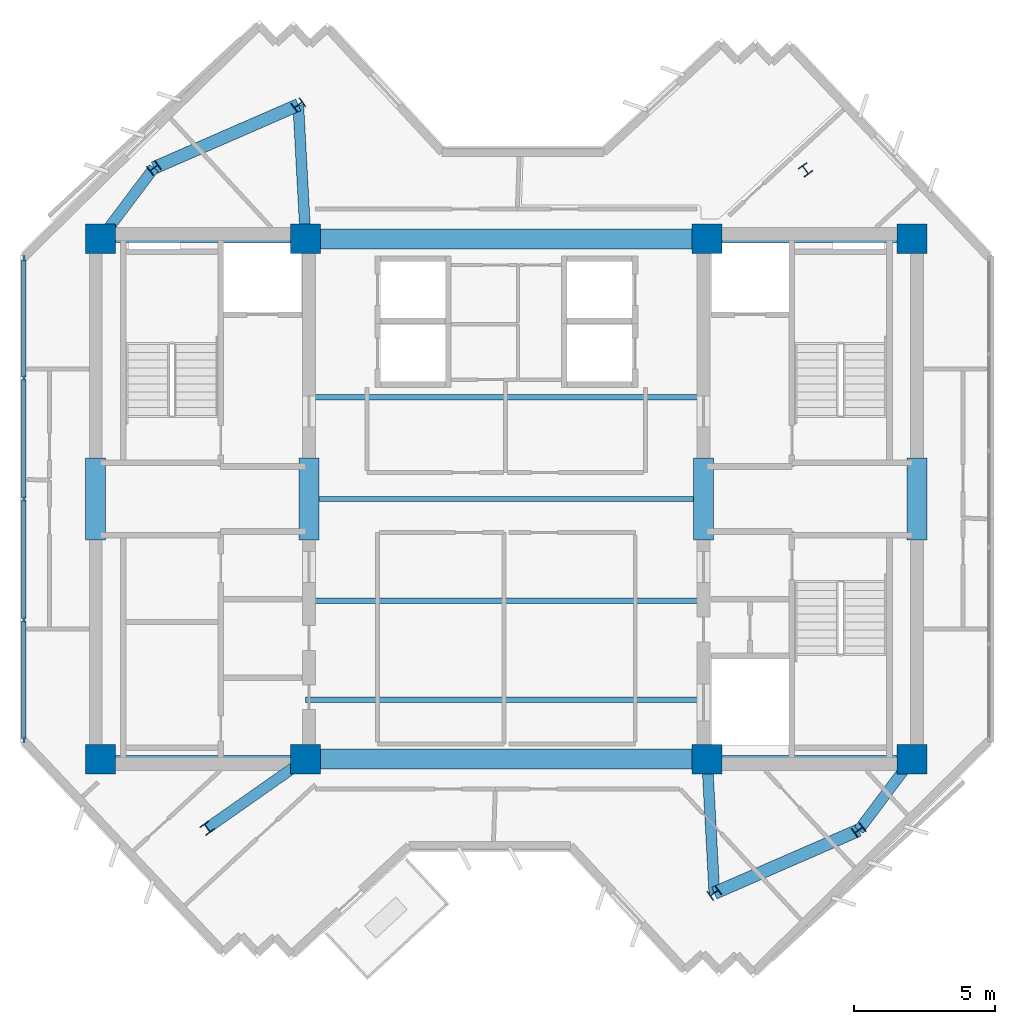
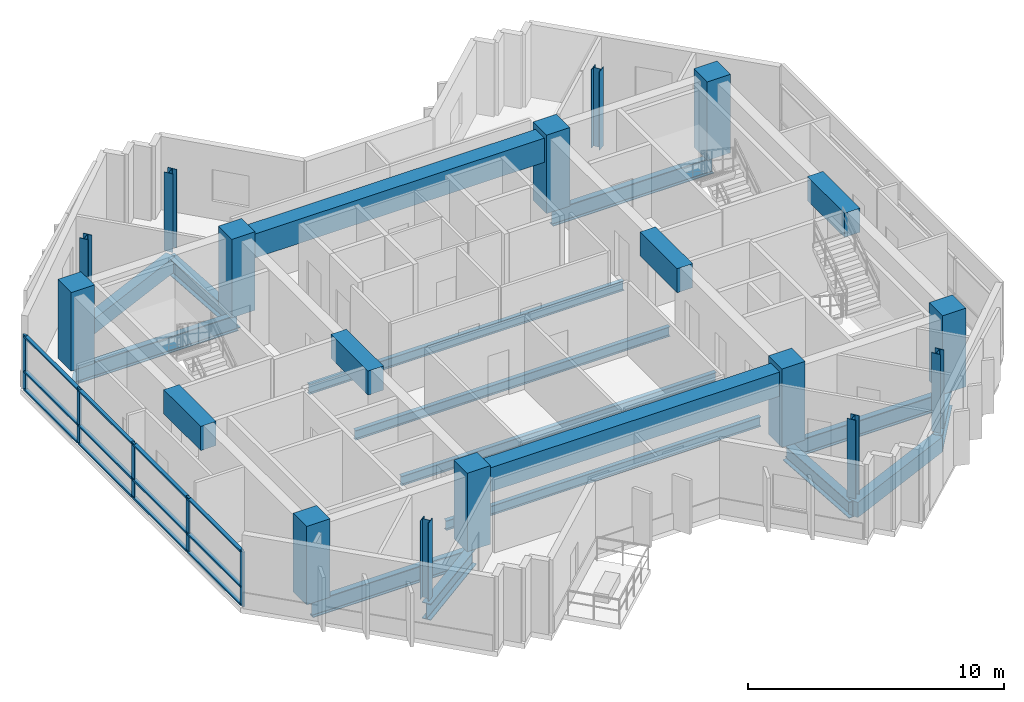
# One storey, part 1 of 9: 21 beams, 17 members, 14 columns, 1 element without a shape of its own.
"""IFC4 building model written with IfcOpenShell, lengths in metres."""

from ifc_helpers import new_model, si_unit, direction, frame, origin, origin_2d, place, context, subcontext, project, spatial, rectangle, i_section, extrude, source, transform, mapped, material, layer, layer_set, material_profile, profile_set, type_object, element, aggregate, save


model = new_model("IFC4")

# Units and contexts
model_context = context("Model", 3, precision=1e-05, world=origin(), true_north=direction((0.0, 1.0)))
body_context = subcontext(model_context, "Body", "Model", "MODEL_VIEW")
ifc_project = project(units=[si_unit("LENGTHUNIT", "METRE"), si_unit("AREAUNIT", "SQUARE_METRE"), si_unit("VOLUMEUNIT", "CUBIC_METRE"), si_unit("PLANEANGLEUNIT", "RADIAN"), si_unit("MASSUNIT", "GRAM", prefix="KILO")], contexts=[model_context])

# Site, building, storey
site_placement = place(None, origin())
site = spatial("IfcSite", under=ifc_project, at=site_placement, CompositionType="ELEMENT")
building_placement = place(site_placement, origin())
building = spatial("IfcBuilding", under=site, at=building_placement, Name="Zahravan Cultural Tower", CompositionType="ELEMENT")
storey_placement = place(building_placement, frame((0.0, 0.0, 295.35009765625)))
storey = spatial("IfcBuildingStorey", under=building, at=storey_placement, Name="L71", CompositionType="ELEMENT", Elevation=295.35009765625)

# Columns
ifc_material_1 = material(Name="Concrete C50/60", Category="concrete")
ifc_material_profile_1 = material_profile(ifc_material_1, rectangle(XDim=1.050048828125, YDim=1.050048828125, at=origin_2d()), Name="RC1050X1050")
ifc_profile_set_1 = profile_set([ifc_material_profile_1], Name="Concrete C50/60")
column_type_1 = type_object("IfcColumnType", Name="COL-RC1050", PredefinedType="COLUMN", material=ifc_profile_set_1)
shared_shape_1 = source(origin(), body_context, "Body", "SweptSolid", [
    extrude(rectangle(XDim=1.050048828125, YDim=1.050048828125, at=origin_2d()), origin(), (0.0, 0.0, 1.0), 3.75),
])
for number, where, z_axis, x_axis, name in (
    (1, (21.64990234375, 17.800048828125, 0.0), (0.0, 0.0, 1.0), (1.0, 0.0, 0.0), "L71 Column CC-W1"),
    (2, (28.89990234375, 17.800048828125, 0.0), (0.0, 0.0, 1.0), (1.0, 0.0, 0.0), "L71 Column CC-W2"),
    (3, (21.64990234375, 36.199951171875, 0.0), (0.0, 0.0, 1.0), (1.0, 0.0, 0.0), "L71 Column CC-W3"),
    (4, (28.89990234375, 36.199951171875, 0.0), (0.0, 0.0, 1.0), (1.0, 0.0, 0.0), "L71 Column CC-W4"),
    (5, (43.10009765625, 17.800048828125, 0.0), (0.0, 0.0, 1.0), (1.0, 0.0, 0.0), "L71 Column CC-E1"),
    (6, (50.35009765625, 17.800048828125, 0.0), (0.0, 0.0, 1.0), (1.0, 0.0, 0.0), "L71 Column CC-E2"),
    (7, (43.10009765625, 36.199951171875, 0.0), (0.0, 0.0, 1.0), (1.0, 0.0, 0.0), "L71 Column CC-E3"),
    (8, (50.35009765625, 36.199951171875, 0.0), (0.0, 0.0, 1.0), (1.0, 0.0, 0.0), "L71 Column CC-E4"),
):
    element("IfcColumn", number, at=place(storey_placement, frame(where, z_axis=z_axis, x_axis=x_axis)), inside=storey, type_object=column_type_1, Name=name, PredefinedType="COLUMN", context=body_context, shape_type="MappedRepresentation", body=[
        mapped(shared_shape_1, transform((0.0, 0.0, 0.0), x_axis=(1.0, 0.0, 0.0), y_axis=(0.0, 1.0, 0.0), z_axis=(0.0, 0.0, 1.0), scale=1.0)),
    ])
ifc_material_2 = material(Name="Steel ASTM A992 Grade 50", Category="steel")
ifc_material_profile_2 = material_profile(ifc_material_2, i_section(OverallWidth=0.3740234375, OverallDepth=0.3720703125, WebThickness=0.016357421875, FlangeThickness=0.026123046875, FilletRadius=0.01806640625, at=origin_2d()), Name="W14X132")
ifc_profile_set_2 = profile_set([ifc_material_profile_2], Name="Steel ASTM A992 Grade 50")
column_type_2 = type_object("IfcColumnType", Name="COL-W14X132", PredefinedType="COLUMN", material=ifc_profile_set_2)
shared_shape_2 = source(origin(), body_context, "Body", "SweptSolid", [
    extrude(i_section(OverallWidth=0.3740234375, OverallDepth=0.3720703125, WebThickness=0.016357421875, FlangeThickness=0.026123046875, FilletRadius=0.01806640625, at=origin_2d()), origin(), (0.0, 0.0, 1.0), 3.75),
])
for number, where, z_axis, x_axis, name in (
    (9, (46.577880859375, 38.640625, 0.0), (0.0, 0.0, 1.0), (0.809016994375, 0.587785252292, 0.0), "L71 Column Z3C-E2"),
    (10, (28.642578125, 40.937255859375, 0.0), (0.0, 0.0, 1.0), (-0.587785252292, 0.809016994375, 0.0), "L71 Column Z3C-N1"),
    (11, (23.536376953125, 38.710693359375, 0.0), (0.0, 0.0, 1.0), (-0.587785252292, 0.809016994375, 0.0), "L71 Column Z3C-N2"),
    (12, (25.422119140625, 15.359375, 0.0), (0.0, 0.0, 1.0), (0.809016994375, 0.587785252292, 0.0), "L71 Column Z3C-W2"),
    (13, (43.357421875, 13.062744140625, 0.0), (0.0, 0.0, 1.0), (-0.587785252292, 0.809016994375, 0.0), "L71 Column Z3C-S1"),
    (14, (48.463623046875, 15.289306640625, 0.0), (0.0, 0.0, 1.0), (-0.587785252292, 0.809016994375, 0.0), "L71 Column Z3C-S2"),
):
    element("IfcColumn", number, at=place(storey_placement, frame(where, z_axis=z_axis, x_axis=x_axis)), inside=storey, type_object=column_type_2, Name=name, PredefinedType="COLUMN", context=body_context, shape_type="MappedRepresentation", body=[
        mapped(shared_shape_2, transform((0.0, 0.0, 0.0), x_axis=(1.0, 0.0, 0.0), y_axis=(0.0, 1.0, 0.0), z_axis=(0.0, 0.0, 1.0), scale=1.0)),
    ])

# Beams
ifc_material_profile_3 = material_profile(ifc_material_1, rectangle(XDim=0.699951171875, YDim=1.14990234375, at=origin_2d()), Name="RC700X1150")
ifc_profile_set_3 = profile_set([ifc_material_profile_3], Name="Concrete C50/60")
beam_type_1 = type_object("IfcBeamType", Name="BM-LN-RC700X1150", PredefinedType="LINTEL", material=ifc_profile_set_3)
shared_shape_3 = source(origin(), body_context, "Body", "SweptSolid", [
    extrude(rectangle(XDim=0.699951171875, YDim=1.14990234375, at=origin_2d()), origin(), (0.0, 0.0, 1.0), 14.2001953125),
])
for number, where, z_axis, x_axis, name in (
    (15, (28.89990234375, 17.800048828125, 2.9248046875), (1.0, 0.0, 0.0), (0.0, 1.0, 0.0), "L71 Beam LN-L71-S"),
    (16, (28.89990234375, 36.199951171875, 2.9248046875), (1.0, 0.0, 0.0), (0.0, 1.0, 0.0), "L71 Beam LN-L71-N"),
):
    element("IfcBeam", number, at=place(storey_placement, frame(where, z_axis=z_axis, x_axis=x_axis)), inside=storey, type_object=beam_type_1, Name=name, PredefinedType="LINTEL", context=body_context, shape_type="MappedRepresentation", body=[
        mapped(shared_shape_3, transform((0.0, 0.0, 0.0), x_axis=(1.0, 0.0, 0.0), y_axis=(0.0, 1.0, 0.0), z_axis=(0.0, 0.0, 1.0), scale=1.0)),
    ])
shared_shape_4 = source(origin(), body_context, "Body", "SweptSolid", [
    extrude(rectangle(XDim=0.699951171875, YDim=1.14990234375, at=origin_2d()), origin(), (0.0, 0.0, 1.0), 2.89990234375),
])
for number, where, z_axis, x_axis, name in (
    (17, (21.47509765625, 25.550048828125, 2.9248046875), (0.0, 1.0, 0.0), (-1.0, 0.0, 0.0), "L71 Beam LN-L71-PWW"),
    (18, (29.02490234375, 25.550048828125, 2.9248046875), (0.0, 1.0, 0.0), (-1.0, 0.0, 0.0), "L71 Beam LN-L71-PWE"),
    (19, (42.97509765625, 25.550048828125, 2.9248046875), (0.0, 1.0, 0.0), (-1.0, 0.0, 0.0), "L71 Beam LN-L71-PEW"),
    (20, (50.52490234375, 25.550048828125, 2.9248046875), (0.0, 1.0, 0.0), (-1.0, 0.0, 0.0), "L71 Beam LN-L71-PEE"),
):
    element("IfcBeam", number, at=place(storey_placement, frame(where, z_axis=z_axis, x_axis=x_axis)), inside=storey, type_object=beam_type_1, Name=name, PredefinedType="LINTEL", context=body_context, shape_type="MappedRepresentation", body=[
        mapped(shared_shape_4, transform((0.0, 0.0, 0.0), x_axis=(1.0, 0.0, 0.0), y_axis=(0.0, 1.0, 0.0), z_axis=(0.0, 0.0, 1.0), scale=1.0)),
    ])
ifc_material_profile_4 = material_profile(ifc_material_2, i_section(OverallWidth=0.26611328125, OverallDepth=0.780029296875, WebThickness=0.0166015625, FlangeThickness=0.030029296875, FilletRadius=0.01904296875, at=origin_2d()), Name="W30X148")
ifc_profile_set_4 = profile_set([ifc_material_profile_4], Name="Steel ASTM A992 Grade 50")
beam_type_2 = type_object("IfcBeamType", Name="BM-G-W30X148", PredefinedType="BEAM", material=ifc_profile_set_4)
shared_shape_5 = source(origin(), body_context, "Body", "SweptSolid", [
    extrude(i_section(OverallWidth=0.26611328125, OverallDepth=0.780029296875, WebThickness=0.0166015625, FlangeThickness=0.030029296875, FilletRadius=0.01904296875, at=origin_2d()), origin(), (0.0, 0.0, 1.0), 7.25),
])
for number, where, z_axis, x_axis, name in (
    (21, (21.64990234375, 17.800048828125, -0.64013671875), (1.0, 0.0, 0.0), (0.0, 1.0, 0.0), "L71 Beam BG-L71-01"),
    (22, (21.64990234375, 36.199951171875, -0.64013671875), (1.0, 0.0, 0.0), (0.0, 1.0, 0.0), "L71 Beam BG-L71-02"),
    (23, (43.10009765625, 17.800048828125, -0.64013671875), (1.0, 0.0, 0.0), (0.0, 1.0, 0.0), "L71 Beam BG-L71-04"),
    (24, (43.10009765625, 36.199951171875, -0.64013671875), (1.0, 0.0, 0.0), (0.0, 1.0, 0.0), "L71 Beam BG-L71-05"),
):
    element("IfcBeam", number, at=place(storey_placement, frame(where, z_axis=z_axis, x_axis=x_axis)), inside=storey, type_object=beam_type_2, Name=name, PredefinedType="BEAM", context=body_context, shape_type="MappedRepresentation", body=[
        mapped(shared_shape_5, transform((0.0, 0.0, 0.0), x_axis=(1.0, 0.0, 0.0), y_axis=(0.0, 1.0, 0.0), z_axis=(0.0, 0.0, 1.0), scale=1.0)),
    ])
ifc_material_3 = material(Name="Concrete C45/55", Category="concrete")
ifc_material_profile_5 = material_profile(ifc_material_3, rectangle(XDim=0.449951171875, YDim=0.719970703125, at=origin_2d()), Name="RC450X720")
ifc_profile_set_5 = profile_set([ifc_material_profile_5], Name="Concrete C45/55")
beam_type_3 = type_object("IfcBeamType", Name="BM-SP-RC450X720", PredefinedType="SPANDREL", material=ifc_profile_set_5)
shared_shape_6 = source(origin(), body_context, "Body", "SweptSolid", [
    extrude(rectangle(XDim=0.449951171875, YDim=0.719970703125, at=origin_2d()), origin(), (0.0, 0.0, 1.0), 5.570556640625),
])
for number, where, z_axis, x_axis, name in (
    (25, (43.357421875, 13.062744140625, -0.610107421875), (0.9166445026, 0.399703459896, 0.0), (-0.399703459896, 0.9166445026, 0.0), "L71 Beam SP-L71-12"),
    (26, (28.642578125, 40.937255859375, -0.610107421875), (-0.9166445026, -0.399703459896, 0.0), (0.399703459896, -0.9166445026, 0.0), "L71 Beam SP-L71-13"),
):
    element("IfcBeam", number, at=place(storey_placement, frame(where, z_axis=z_axis, x_axis=x_axis)), inside=storey, type_object=beam_type_3, Name=name, PredefinedType="SPANDREL", context=body_context, shape_type="MappedRepresentation", body=[
        mapped(shared_shape_6, transform((0.0, 0.0, 0.0), x_axis=(1.0, 0.0, 0.0), y_axis=(0.0, 1.0, 0.0), z_axis=(0.0, 0.0, 1.0), scale=1.0)),
    ])
ifc_material_profile_6 = material_profile(ifc_material_2, i_section(OverallWidth=0.18994140625, OverallDepth=0.45703125, WebThickness=0.009033203125, FlangeThickness=0.014404296875, FilletRadius=0.012939453125, at=origin_2d()), Name="W18X50")
ifc_profile_set_6 = profile_set([ifc_material_profile_6], Name="Steel ASTM A992 Grade 50")
beam_type_4 = type_object("IfcBeamType", Name="BM-J-W18X50", PredefinedType="JOIST", material=ifc_profile_set_6)
shared_shape_7 = source(origin(), body_context, "Body", "SweptSolid", [
    extrude(i_section(OverallWidth=0.18994140625, OverallDepth=0.45703125, WebThickness=0.009033203125, FlangeThickness=0.014404296875, FilletRadius=0.012939453125, at=origin_2d()), origin(), (0.0, 0.0, 1.0), 14.2001953125),
])
for number, where, z_axis, x_axis, name in (
    (27, (28.89990234375, 19.89990234375, -0.478515625), (1.0, 0.0, 0.0), (0.0, 1.0, 0.0), "L71 Beam BJ-L71-14"),
    (28, (28.89990234375, 23.39990234375, -0.478515625), (1.0, 0.0, 0.0), (0.0, 1.0, 0.0), "L71 Beam BJ-L71-15"),
    (29, (28.89990234375, 27.0, -0.478515625), (1.0, 0.0, 0.0), (0.0, 1.0, 0.0), "L71 Beam BJ-L71-16"),
    (30, (28.89990234375, 30.60009765625, -0.478515625), (1.0, 0.0, 0.0), (0.0, 1.0, 0.0), "L71 Beam BJ-L71-17"),
):
    element("IfcBeam", number, at=place(storey_placement, frame(where, z_axis=z_axis, x_axis=x_axis)), inside=storey, type_object=beam_type_4, Name=name, PredefinedType="JOIST", context=body_context, shape_type="MappedRepresentation", body=[
        mapped(shared_shape_7, transform((0.0, 0.0, 0.0), x_axis=(1.0, 0.0, 0.0), y_axis=(0.0, 1.0, 0.0), z_axis=(0.0, 0.0, 1.0), scale=1.0)),
    ])
ifc_material_profile_7 = material_profile(ifc_material_2, i_section(OverallWidth=0.382080078125, OverallDepth=0.779052734375, WebThickness=0.01806640625, FlangeThickness=0.030029296875, FilletRadius=0.01904296875, at=origin_2d()), Name="W30X191")
ifc_profile_set_7 = profile_set([ifc_material_profile_7], Name="Steel ASTM A992 Grade 50")
beam_type_5 = type_object("IfcBeamType", Name="BM-G-W30X191", PredefinedType="BEAM", material=ifc_profile_set_7)
shared_shape_8 = source(origin(), body_context, "Body", "SweptSolid", [
    extrude(i_section(OverallWidth=0.382080078125, OverallDepth=0.779052734375, WebThickness=0.01806640625, FlangeThickness=0.030029296875, FilletRadius=0.01904296875, at=origin_2d()), origin(), (0.0, 0.0, 1.0), 4.248779296875),
])
beam_placement = place(storey_placement, frame((28.89990234375, 17.800048828125, -0.6396484375), z_axis=(-0.81854294596, -0.574445337365, 0.0), x_axis=(0.574445337365, -0.81854294596, 0.0)))
element("IfcBeam", 31, at=beam_placement, inside=storey, type_object=beam_type_5, Name="L71 Beam BG-L71-07", PredefinedType="BEAM", context=body_context, shape_type="MappedRepresentation", body=[
    mapped(shared_shape_8, transform((0.0, 0.0, 0.0), x_axis=(1.0, 0.0, 0.0), y_axis=(0.0, 1.0, 0.0), z_axis=(0.0, 0.0, 1.0), scale=1.0)),
])
shared_shape_9 = source(origin(), body_context, "Body", "SweptSolid", [
    extrude(i_section(OverallWidth=0.382080078125, OverallDepth=0.779052734375, WebThickness=0.01806640625, FlangeThickness=0.030029296875, FilletRadius=0.01904296875, at=origin_2d()), origin(), (0.0, 0.0, 1.0), 4.744384765625),
])
for number, where, z_axis, x_axis, name in (
    (32, (43.10009765625, 17.800048828125, -0.6396484375), (0.054238739845, -0.998527996152, 0.0), (0.998527996152, 0.054238739845, 0.0), "L71 Beam BG-L71-08"),
    (33, (28.89990234375, 36.199951171875, -0.6396484375), (-0.054238739845, 0.998527996152, 0.0), (-0.998527996152, -0.054238739845, 0.0), "L71 Beam BG-L71-10"),
):
    element("IfcBeam", number, at=place(storey_placement, frame(where, z_axis=z_axis, x_axis=x_axis)), inside=storey, type_object=beam_type_5, Name=name, PredefinedType="BEAM", context=body_context, shape_type="MappedRepresentation", body=[
        mapped(shared_shape_9, transform((0.0, 0.0, 0.0), x_axis=(1.0, 0.0, 0.0), y_axis=(0.0, 1.0, 0.0), z_axis=(0.0, 0.0, 1.0), scale=1.0)),
    ])
shared_shape_10 = source(origin(), body_context, "Body", "SweptSolid", [
    extrude(i_section(OverallWidth=0.382080078125, OverallDepth=0.779052734375, WebThickness=0.01806640625, FlangeThickness=0.030029296875, FilletRadius=0.01904296875, at=origin_2d()), origin(), (0.0, 0.0, 1.0), 3.140380859375),
])
for number, where, z_axis, x_axis, name in (
    (34, (50.35009765625, 17.800048828125, -0.6396484375), (-0.600696322208, -0.799477284534, 0.0), (0.799477284534, -0.600696322208, 0.0), "L71 Beam BG-L71-09"),
    (35, (21.64990234375, 36.199951171875, -0.6396484375), (0.600696322208, 0.799477284534, 0.0), (-0.799477284534, 0.600696322208, 0.0), "L71 Beam BG-L71-11"),
):
    element("IfcBeam", number, at=place(storey_placement, frame(where, z_axis=z_axis, x_axis=x_axis)), inside=storey, type_object=beam_type_5, Name=name, PredefinedType="BEAM", context=body_context, shape_type="MappedRepresentation", body=[
        mapped(shared_shape_10, transform((0.0, 0.0, 0.0), x_axis=(1.0, 0.0, 0.0), y_axis=(0.0, 1.0, 0.0), z_axis=(0.0, 0.0, 1.0), scale=1.0)),
    ])

# Curtain wall, members
ifc_material_4 = material(Name="Anodised bronze-aluminium mullion", Category="aluminium")
ifc_layer = layer(ifc_material_4, 0.219970703125)
ifc_layer_set = layer_set([ifc_layer], Name="Anodised bronze-aluminium mullion")
curtain_wall_type = type_object("IfcCurtainWallType", Name="CW-SYS-1", PredefinedType="USERDEFINED", material=ifc_layer_set)
curtain_wall_placement = place(storey_placement, origin())
curtain_wall = element("IfcCurtainWall", 36, at=curtain_wall_placement, inside=storey, type_object=curtain_wall_type, Name="L71 Recessed Curtain Wall CW-1.2", ObjectType="RECESSED GLAZING", PredefinedType="USERDEFINED")
ifc_material_profile_8 = material_profile(ifc_material_4, rectangle(XDim=0.080078125, YDim=0.219970703125, at=origin_2d()), Name="AL-M80X220")
ifc_profile_set_8 = profile_set([ifc_material_profile_8], Name="Anodised bronze-aluminium mullion")
member_type_1 = type_object("IfcMemberType", Name="CWM-CW-1", PredefinedType="MULLION", material=ifc_profile_set_8)
shared_shape_11 = source(origin(), body_context, "Body", "SweptSolid", [
    extrude(rectangle(XDim=0.080078125, YDim=0.219970703125, at=origin_2d()), origin(), (0.0, 0.0, 1.0), 2.619873046875),
])
member_1_placement = place(storey_placement, frame((18.93994140625, 18.498046875, 0.0), z_axis=(0.0, 0.0, 1.0), x_axis=(-1.0, 0.0, 0.0)))
member_1 = element("IfcMember", 37, at=member_1_placement, type_object=member_type_1, Name="CW-1 mullion 1", PredefinedType="MULLION", context=body_context, shape_type="MappedRepresentation", body=[
    mapped(shared_shape_11, transform((0.0, 0.0, 0.0), x_axis=(1.0, 0.0, 0.0), y_axis=(0.0, 1.0, 0.0), z_axis=(0.0, 0.0, 1.0), scale=1.0)),
])
member_2_placement = place(storey_placement, frame((18.93994140625, 22.72900390625, 0.0), z_axis=(0.0, 0.0, 1.0), x_axis=(-1.0, 0.0, 0.0)))
member_2 = element("IfcMember", 38, at=member_2_placement, type_object=member_type_1, Name="CW-1 mullion 2", PredefinedType="MULLION", context=body_context, shape_type="MappedRepresentation", body=[
    mapped(shared_shape_11, transform((0.0, 0.0, 0.0), x_axis=(1.0, 0.0, 0.0), y_axis=(0.0, 1.0, 0.0), z_axis=(0.0, 0.0, 1.0), scale=1.0)),
])
member_3_placement = place(storey_placement, frame((18.93994140625, 27.0, 0.0), z_axis=(0.0, 0.0, 1.0), x_axis=(-1.0, 0.0, 0.0)))
member_3 = element("IfcMember", 39, at=member_3_placement, type_object=member_type_1, Name="CW-1 mullion 3", PredefinedType="MULLION", context=body_context, shape_type="MappedRepresentation", body=[
    mapped(shared_shape_11, transform((0.0, 0.0, 0.0), x_axis=(1.0, 0.0, 0.0), y_axis=(0.0, 1.0, 0.0), z_axis=(0.0, 0.0, 1.0), scale=1.0)),
])
member_4_placement = place(storey_placement, frame((18.93994140625, 31.27099609375, 0.0), z_axis=(0.0, 0.0, 1.0), x_axis=(-1.0, 0.0, 0.0)))
member_4 = element("IfcMember", 40, at=member_4_placement, type_object=member_type_1, Name="CW-1 mullion 4", PredefinedType="MULLION", context=body_context, shape_type="MappedRepresentation", body=[
    mapped(shared_shape_11, transform((0.0, 0.0, 0.0), x_axis=(1.0, 0.0, 0.0), y_axis=(0.0, 1.0, 0.0), z_axis=(0.0, 0.0, 1.0), scale=1.0)),
])
member_5_placement = place(storey_placement, frame((18.93994140625, 35.501953125, 0.0), z_axis=(0.0, 0.0, 1.0), x_axis=(-1.0, 0.0, 0.0)))
member_5 = element("IfcMember", 41, at=member_5_placement, type_object=member_type_1, Name="CW-1 mullion 5", PredefinedType="MULLION", context=body_context, shape_type="MappedRepresentation", body=[
    mapped(shared_shape_11, transform((0.0, 0.0, 0.0), x_axis=(1.0, 0.0, 0.0), y_axis=(0.0, 1.0, 0.0), z_axis=(0.0, 0.0, 1.0), scale=1.0)),
])
ifc_material_profile_9 = material_profile(ifc_material_4, rectangle(XDim=0.159912109375, YDim=0.080078125, at=origin_2d()), Name="AL-T80X160")
ifc_profile_set_9 = profile_set([ifc_material_profile_9], Name="Anodised bronze-aluminium mullion")
member_type_2 = type_object("IfcMemberType", Name="CWT-CW-1", PredefinedType="USERDEFINED", material=ifc_profile_set_9)
shared_shape_12 = source(origin(), body_context, "Body", "SweptSolid", [
    extrude(rectangle(XDim=0.159912109375, YDim=0.080078125, at=origin_2d()), origin(), (0.0, 0.0, 1.0), 4.15087890625),
])
member_6_placement = place(storey_placement, frame((18.93994140625, 18.5380859375, 0.039794921875), z_axis=(0.0, 1.0, 0.0), x_axis=(-1.0, 0.0, 0.0)))
member_6 = element("IfcMember", 42, at=member_6_placement, type_object=member_type_2, Name="CW-1 transom 1.1", ObjectType="TRANSOM", PredefinedType="USERDEFINED", context=body_context, shape_type="MappedRepresentation", body=[
    mapped(shared_shape_12, transform((0.0, 0.0, 0.0), x_axis=(1.0, 0.0, 0.0), y_axis=(0.0, 1.0, 0.0), z_axis=(0.0, 0.0, 1.0), scale=1.0)),
])
member_7_placement = place(storey_placement, frame((18.93994140625, 18.5380859375, 0.89990234375), z_axis=(0.0, 1.0, 0.0), x_axis=(-1.0, 0.0, 0.0)))
member_7 = element("IfcMember", 43, at=member_7_placement, type_object=member_type_2, Name="CW-1 transom 1.2", ObjectType="TRANSOM", PredefinedType="USERDEFINED", context=body_context, shape_type="MappedRepresentation", body=[
    mapped(shared_shape_12, transform((0.0, 0.0, 0.0), x_axis=(1.0, 0.0, 0.0), y_axis=(0.0, 1.0, 0.0), z_axis=(0.0, 0.0, 1.0), scale=1.0)),
])
member_8_placement = place(storey_placement, frame((18.93994140625, 18.5380859375, 2.579833984375), z_axis=(0.0, 1.0, 0.0), x_axis=(-1.0, 0.0, 0.0)))
member_8 = element("IfcMember", 44, at=member_8_placement, type_object=member_type_2, Name="CW-1 transom 1.3", ObjectType="TRANSOM", PredefinedType="USERDEFINED", context=body_context, shape_type="MappedRepresentation", body=[
    mapped(shared_shape_12, transform((0.0, 0.0, 0.0), x_axis=(1.0, 0.0, 0.0), y_axis=(0.0, 1.0, 0.0), z_axis=(0.0, 0.0, 1.0), scale=1.0)),
])
member_9_placement = place(storey_placement, frame((18.93994140625, 31.31103515625, 0.039794921875), z_axis=(0.0, 1.0, 0.0), x_axis=(-1.0, 0.0, 0.0)))
member_9 = element("IfcMember", 45, at=member_9_placement, type_object=member_type_2, Name="CW-1 transom 4.1", ObjectType="TRANSOM", PredefinedType="USERDEFINED", context=body_context, shape_type="MappedRepresentation", body=[
    mapped(shared_shape_12, transform((0.0, 0.0, 0.0), x_axis=(1.0, 0.0, 0.0), y_axis=(0.0, 1.0, 0.0), z_axis=(0.0, 0.0, 1.0), scale=1.0)),
])
member_10_placement = place(storey_placement, frame((18.93994140625, 31.31103515625, 0.89990234375), z_axis=(0.0, 1.0, 0.0), x_axis=(-1.0, 0.0, 0.0)))
member_10 = element("IfcMember", 46, at=member_10_placement, type_object=member_type_2, Name="CW-1 transom 4.2", ObjectType="TRANSOM", PredefinedType="USERDEFINED", context=body_context, shape_type="MappedRepresentation", body=[
    mapped(shared_shape_12, transform((0.0, 0.0, 0.0), x_axis=(1.0, 0.0, 0.0), y_axis=(0.0, 1.0, 0.0), z_axis=(0.0, 0.0, 1.0), scale=1.0)),
])
member_11_placement = place(storey_placement, frame((18.93994140625, 31.31103515625, 2.579833984375), z_axis=(0.0, 1.0, 0.0), x_axis=(-1.0, 0.0, 0.0)))
member_11 = element("IfcMember", 47, at=member_11_placement, type_object=member_type_2, Name="CW-1 transom 4.3", ObjectType="TRANSOM", PredefinedType="USERDEFINED", context=body_context, shape_type="MappedRepresentation", body=[
    mapped(shared_shape_12, transform((0.0, 0.0, 0.0), x_axis=(1.0, 0.0, 0.0), y_axis=(0.0, 1.0, 0.0), z_axis=(0.0, 0.0, 1.0), scale=1.0)),
])
shared_shape_13 = source(origin(), body_context, "Body", "SweptSolid", [
    extrude(rectangle(XDim=0.159912109375, YDim=0.080078125, at=origin_2d()), origin(), (0.0, 0.0, 1.0), 4.19091796875),
])
member_12_placement = place(storey_placement, frame((18.93994140625, 22.76904296875, 0.039794921875), z_axis=(0.0, 1.0, 0.0), x_axis=(-1.0, 0.0, 0.0)))
member_12 = element("IfcMember", 48, at=member_12_placement, type_object=member_type_2, Name="CW-1 transom 2.1", ObjectType="TRANSOM", PredefinedType="USERDEFINED", context=body_context, shape_type="MappedRepresentation", body=[
    mapped(shared_shape_13, transform((0.0, 0.0, 0.0), x_axis=(1.0, 0.0, 0.0), y_axis=(0.0, 1.0, 0.0), z_axis=(0.0, 0.0, 1.0), scale=1.0)),
])
member_13_placement = place(storey_placement, frame((18.93994140625, 22.76904296875, 0.89990234375), z_axis=(0.0, 1.0, 0.0), x_axis=(-1.0, 0.0, 0.0)))
member_13 = element("IfcMember", 49, at=member_13_placement, type_object=member_type_2, Name="CW-1 transom 2.2", ObjectType="TRANSOM", PredefinedType="USERDEFINED", context=body_context, shape_type="MappedRepresentation", body=[
    mapped(shared_shape_13, transform((0.0, 0.0, 0.0), x_axis=(1.0, 0.0, 0.0), y_axis=(0.0, 1.0, 0.0), z_axis=(0.0, 0.0, 1.0), scale=1.0)),
])
member_14_placement = place(storey_placement, frame((18.93994140625, 22.76904296875, 2.579833984375), z_axis=(0.0, 1.0, 0.0), x_axis=(-1.0, 0.0, 0.0)))
member_14 = element("IfcMember", 50, at=member_14_placement, type_object=member_type_2, Name="CW-1 transom 2.3", ObjectType="TRANSOM", PredefinedType="USERDEFINED", context=body_context, shape_type="MappedRepresentation", body=[
    mapped(shared_shape_13, transform((0.0, 0.0, 0.0), x_axis=(1.0, 0.0, 0.0), y_axis=(0.0, 1.0, 0.0), z_axis=(0.0, 0.0, 1.0), scale=1.0)),
])
member_15_placement = place(storey_placement, frame((18.93994140625, 27.0400390625, 0.039794921875), z_axis=(0.0, 1.0, 0.0), x_axis=(-1.0, 0.0, 0.0)))
member_15 = element("IfcMember", 51, at=member_15_placement, type_object=member_type_2, Name="CW-1 transom 3.1", ObjectType="TRANSOM", PredefinedType="USERDEFINED", context=body_context, shape_type="MappedRepresentation", body=[
    mapped(shared_shape_13, transform((0.0, 0.0, 0.0), x_axis=(1.0, 0.0, 0.0), y_axis=(0.0, 1.0, 0.0), z_axis=(0.0, 0.0, 1.0), scale=1.0)),
])
member_16_placement = place(storey_placement, frame((18.93994140625, 27.0400390625, 0.89990234375), z_axis=(0.0, 1.0, 0.0), x_axis=(-1.0, 0.0, 0.0)))
member_16 = element("IfcMember", 52, at=member_16_placement, type_object=member_type_2, Name="CW-1 transom 3.2", ObjectType="TRANSOM", PredefinedType="USERDEFINED", context=body_context, shape_type="MappedRepresentation", body=[
    mapped(shared_shape_13, transform((0.0, 0.0, 0.0), x_axis=(1.0, 0.0, 0.0), y_axis=(0.0, 1.0, 0.0), z_axis=(0.0, 0.0, 1.0), scale=1.0)),
])
member_17_placement = place(storey_placement, frame((18.93994140625, 27.0400390625, 2.579833984375), z_axis=(0.0, 1.0, 0.0), x_axis=(-1.0, 0.0, 0.0)))
member_17 = element("IfcMember", 53, at=member_17_placement, type_object=member_type_2, Name="CW-1 transom 3.3", ObjectType="TRANSOM", PredefinedType="USERDEFINED", context=body_context, shape_type="MappedRepresentation", body=[
    mapped(shared_shape_13, transform((0.0, 0.0, 0.0), x_axis=(1.0, 0.0, 0.0), y_axis=(0.0, 1.0, 0.0), z_axis=(0.0, 0.0, 1.0), scale=1.0)),
])
aggregate(curtain_wall, [member_1, member_2, member_3, member_4, member_5, member_6, member_7, member_8, member_12, member_13, member_14, member_15, member_16, member_17, member_9, member_10, member_11])

save(model, "model.ifc")
